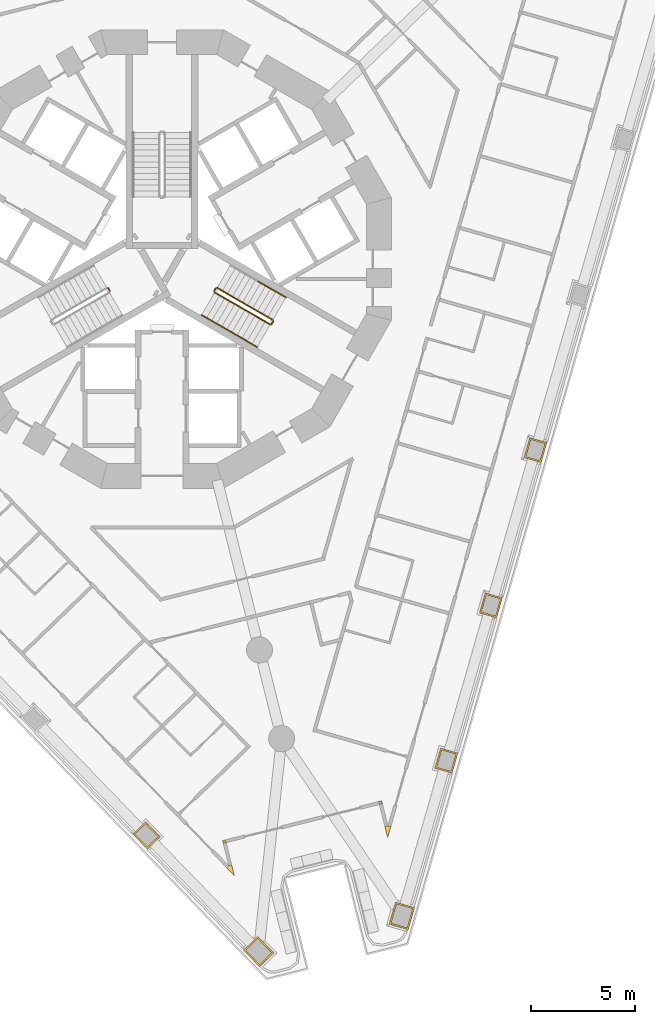
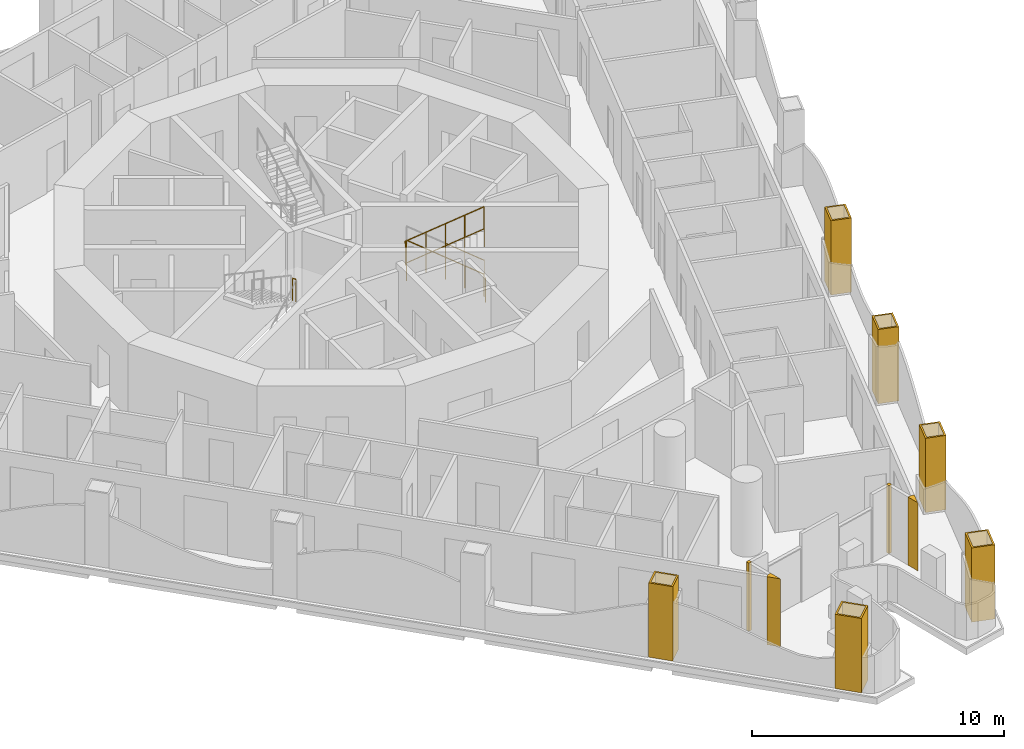
# One storey, part 14 of 19: 10 coverings, 8 railings.
"""IFC4 building model written with IfcOpenShell, lengths in metres."""

from ifc_helpers import new_model, si_unit, direction, frame, origin, origin_2d, place, context, subcontext, project, spatial, polyline, circle, outline, extrude, material, layer, layer_set, type_object, element, save


model = new_model("IFC4")

# Units and contexts
model_context = context("Model", 3, precision=1e-05, world=origin(), true_north=direction((0.0, 1.0)))
body_context = subcontext(model_context, "Body", "Model", "MODEL_VIEW")
ifc_project = project(units=[si_unit("LENGTHUNIT", "METRE"), si_unit("AREAUNIT", "SQUARE_METRE"), si_unit("VOLUMEUNIT", "CUBIC_METRE"), si_unit("PLANEANGLEUNIT", "RADIAN"), si_unit("MASSUNIT", "GRAM", prefix="KILO")], contexts=[model_context])

# Site, building, storey
site_placement = place(None, origin())
site = spatial("IfcSite", under=ifc_project, at=site_placement, CompositionType="ELEMENT")
building_placement = place(site_placement, origin())
building = spatial("IfcBuilding", under=site, at=building_placement, Name="Trine Commons Tower", CompositionType="ELEMENT")
storey_placement = place(building_placement, frame((0.0, 0.0, 98.10009765625)))
storey = spatial("IfcBuildingStorey", under=building, at=storey_placement, Name="L24", CompositionType="ELEMENT", Elevation=98.10009765625)

# Coverings
ifc_material_1 = material(Name="Aluminium-framed insulated wall panel", Category="aluminium")
ifc_layer_1 = layer(ifc_material_1, 0.14990234375)
ifc_layer_set_1 = layer_set([ifc_layer_1], Name="Aluminium-framed insulated wall panel")
covering_type_1 = type_object("IfcCoveringType", Name="Glazing corner post, aluminium", PredefinedType="CLADDING", material=ifc_layer_set_1)
covering_1_placement = place(storey_placement, origin())
element("IfcCovering", 1, at=covering_1_placement, inside=storey, type_object=covering_type_1, Name="Glazing corner post 3-09", PredefinedType="CLADDING", context=body_context, shape_type="SweptSolid", body=[
    extrude(outline(polyline([(90.701416015625, 35.24560546875), (90.836669921875, 34.70263671875), (90.990966796875, 35.24072265625), (90.8466796875, 35.281982421875), (90.701416015625, 35.24560546875)])), origin(), (0.0, 0.0, 1.0), 3.2998046875),
])
covering_2_placement = place(storey_placement, origin())
element("IfcCovering", 2, at=covering_2_placement, inside=storey, type_object=covering_type_1, Name="Glazing corner post 3-10", PredefinedType="CLADDING", context=body_context, shape_type="SweptSolid", body=[
    extrude(outline(polyline([(90.40234375, 36.44482421875), (90.438720703125, 36.29931640625), (90.584228515625, 36.33544921875), (90.5478515625, 36.481201171875), (90.40234375, 36.44482421875)])), origin(), (0.0, 0.0, 1.0), 3.2998046875),
])
covering_3_placement = place(storey_placement, origin())
element("IfcCovering", 3, at=covering_3_placement, inside=storey, type_object=covering_type_1, Name="Glazing corner post 3-11", PredefinedType="CLADDING", context=body_context, shape_type="SweptSolid", body=[
    extrude(outline(polyline([(82.938232421875, 34.42919921875), (83.083740234375, 34.465576171875), (83.047607421875, 34.611083984375), (82.90185546875, 34.57470703125), (82.938232421875, 34.42919921875)])), origin(), (0.0, 0.0, 1.0), 3.2998046875),
])
covering_4_placement = place(storey_placement, origin())
element("IfcCovering", 4, at=covering_4_placement, inside=storey, type_object=covering_type_1, Name="Glazing corner post 3-12", PredefinedType="CLADDING", context=body_context, shape_type="SweptSolid", body=[
    extrude(outline(polyline([(83.093017578125, 33.271484375), (83.48193359375, 32.868896484375), (83.346435546875, 33.412109375), (83.200927734375, 33.375732421875), (83.093017578125, 33.271484375)])), origin(), (0.0, 0.0, 1.0), 3.2998046875),
])
ifc_material_2 = material(Name="Limestone, honed", Category="masonry")
ifc_layer_2 = layer(ifc_material_2, 0.074951171875)
ifc_layer_set_2 = layer_set([ifc_layer_2], Name="Limestone, honed")
covering_type_2 = type_object("IfcCoveringType", Name="Limestone column cladding 75", PredefinedType="CLADDING", material=ifc_layer_set_2)
covering_5_placement = place(storey_placement, origin())
element("IfcCovering", 5, at=covering_5_placement, inside=storey, type_object=covering_type_2, Name="Limestone pier cladding 3-01", PredefinedType="CLADDING", context=body_context, shape_type="SweptSolid", body=[
    extrude(outline(polyline([(84.600341796875, 29.961669921875), (83.9169921875, 29.3017578125), (84.68115234375, 28.510498046875), (85.364501953125, 29.17041015625), (84.600341796875, 29.961669921875)]), holes=[polyline([(84.598388671875, 29.85546875), (84.02294921875, 29.2998046875), (84.682861328125, 28.616455078125), (85.25830078125, 29.172119140625), (84.598388671875, 29.85546875)])]), origin(), (0.0, 0.0, 1.0), 3.599853515625),
])
covering_6_placement = place(storey_placement, origin())
element("IfcCovering", 6, at=covering_6_placement, inside=storey, type_object=covering_type_2, Name="Limestone pier cladding 3-02", PredefinedType="CLADDING", context=body_context, shape_type="SweptSolid", body=[
    extrude(outline(polyline([(79.210205078125, 35.47119140625), (78.5986328125, 34.880859375), (79.293212890625, 34.16162109375), (79.90478515625, 34.751953125), (79.210205078125, 35.47119140625)]), holes=[polyline([(79.208251953125, 35.365234375), (78.70458984375, 34.87890625), (79.295166015625, 34.267578125), (79.798583984375, 34.75390625), (79.208251953125, 35.365234375)])]), origin(), (0.0, 0.0, 1.0), 3.599853515625),
])
covering_7_placement = place(storey_placement, origin())
element("IfcCovering", 7, at=covering_7_placement, inside=storey, type_object=covering_type_2, Name="Limestone pier cladding 3-21", PredefinedType="CLADDING", context=body_context, shape_type="SweptSolid", body=[
    extrude(outline(polyline([(98.48046875, 53.685791015625), (97.663330078125, 53.920166015625), (97.3876953125, 52.958984375), (98.20458984375, 52.724609375), (98.48046875, 53.685791015625)]), holes=[polyline([(98.3876953125, 53.634521484375), (97.714599609375, 53.827392578125), (97.48046875, 53.01025390625), (98.1533203125, 52.8173828125), (98.3876953125, 53.634521484375)])]), origin(), (0.0, 0.0, 1.0), 3.599853515625),
])
covering_8_placement = place(storey_placement, origin())
element("IfcCovering", 8, at=covering_8_placement, inside=storey, type_object=covering_type_2, Name="Limestone pier cladding 3-22", PredefinedType="CLADDING", context=body_context, shape_type="SweptSolid", body=[
    extrude(outline(polyline([(96.342041015625, 46.228759765625), (95.52490234375, 46.462890625), (95.249267578125, 45.501708984375), (96.06640625, 45.267333984375), (96.342041015625, 46.228759765625)]), holes=[polyline([(96.249267578125, 46.17724609375), (95.576416015625, 46.3701171875), (95.342041015625, 45.552978515625), (96.014892578125, 45.360107421875), (96.249267578125, 46.17724609375)])]), origin(), (0.0, 0.0, 1.0), 3.599853515625),
])
covering_9_placement = place(storey_placement, origin())
element("IfcCovering", 9, at=covering_9_placement, inside=storey, type_object=covering_type_2, Name="Limestone pier cladding 3-23", PredefinedType="CLADDING", context=body_context, shape_type="SweptSolid", body=[
    extrude(outline(polyline([(94.203857421875, 38.771484375), (93.38671875, 39.005859375), (93.111083984375, 38.044677734375), (93.927978515625, 37.810302734375), (94.203857421875, 38.771484375)]), holes=[polyline([(94.111083984375, 38.72021484375), (93.43798828125, 38.9130859375), (93.203857421875, 38.095947265625), (93.876708984375, 37.903076171875), (94.111083984375, 38.72021484375)])]), origin(), (0.0, 0.0, 1.0), 3.599853515625),
])
covering_10_placement = place(storey_placement, origin())
element("IfcCovering", 10, at=covering_10_placement, inside=storey, type_object=covering_type_2, Name="Limestone pier cladding 3-24", PredefinedType="CLADDING", context=body_context, shape_type="SweptSolid", body=[
    extrude(outline(polyline([(92.127197265625, 31.348876953125), (91.214111328125, 31.610595703125), (90.910888671875, 30.55322265625), (91.82421875, 30.29150390625), (92.127197265625, 31.348876953125)]), holes=[polyline([(92.034423828125, 31.29736328125), (91.265380859375, 31.517822265625), (91.003662109375, 30.604736328125), (91.772705078125, 30.384033203125), (92.034423828125, 31.29736328125)])]), origin(), (0.0, 0.0, 1.0), 3.599853515625),
])

# Railings
ifc_material_3 = material(Name="Stainless steel balustrade", Category="steel")
railing_type_1 = type_object("IfcRailingType", Name="Stair guard, steel balustrade 1100", PredefinedType="GUARDRAIL", material=ifc_material_3)
railing_1_placement = place(storey_placement, frame((77.490966796875, 60.96484375, 1.7998046875)))
element("IfcRailing", 11, at=railing_1_placement, inside=storey, type_object=railing_type_1, Name="L24 ST2A stair guard 2", PredefinedType="GUARDRAIL", context=body_context, shape_type="SweptSolid", body=[
    extrude(circle(Radius=0.02392578125, at=origin_2d()), frame((0.0, 0.0, 1.076171875), z_axis=(-0.501036270542, 0.865426285481, 0.0), x_axis=(-0.865426285481, -0.501036270542, 0.0)), (0.0, 0.0, 1.0), 0.150146484375),
    extrude(circle(Radius=0.02099609375, at=origin_2d()), origin(), (0.0, 0.0, 1.0), 1.052001953125),
    extrude(circle(Radius=0.02099609375, at=origin_2d()), frame((-0.0751953125, 0.1298828125, 0.0)), (0.0, 0.0, 1.0), 1.052001953125),
])
railing_2_placement = place(storey_placement, frame((85.31982421875, 59.572998046875, 0.14990234375)))
element("IfcRailing", 12, at=railing_2_placement, inside=storey, type_object=railing_type_1, Name="L24 ST3A stair guard 1", PredefinedType="GUARDRAIL", context=body_context, shape_type="SweptSolid", body=[
    extrude(circle(Radius=0.02392578125, at=origin_2d()), frame((0.0, 0.0, 1.076171875), z_axis=(-0.76340495495, 0.440743040072, 0.472184759798), x_axis=(-0.499992328818, -0.866029832698, 0.0)), (0.0, 0.0, 1.0), 3.494140625),
    extrude(circle(Radius=0.02099609375, at=origin_2d()), origin(), (0.0, 0.0, 1.0), 1.052001953125),
    extrude(circle(Radius=0.02099609375, at=origin_2d()), frame((-0.6669921875, 0.385009765625, 0.41259765625)), (0.0, 0.0, 1.0), 1.052001953125),
    extrude(circle(Radius=0.02099609375, at=origin_2d()), frame((-1.333740234375, 0.77001953125, 0.824951171875)), (0.0, 0.0, 1.0), 1.052001953125),
    extrude(circle(Radius=0.02099609375, at=origin_2d()), frame((-2.00048828125, 1.155029296875, 1.2373046875)), (0.0, 0.0, 1.0), 1.052001953125),
    extrude(circle(Radius=0.02099609375, at=origin_2d()), frame((-2.66748046875, 1.5400390625, 1.64990234375)), (0.0, 0.0, 1.0), 1.052001953125),
])
railing_3_placement = place(storey_placement, frame((82.584228515625, 61.0947265625, 1.7998046875)))
element("IfcRailing", 13, at=railing_3_placement, inside=storey, type_object=railing_type_1, Name="L24 ST3A stair guard 2", PredefinedType="GUARDRAIL", context=body_context, shape_type="SweptSolid", body=[
    extrude(circle(Radius=0.02392578125, at=origin_2d()), frame((0.0, 0.0, 1.076171875), z_axis=(-0.501036270542, -0.865426285481, 0.0), x_axis=(0.865426285481, -0.501036270542, 0.0)), (0.0, 0.0, 1.0), 0.150146484375),
    extrude(circle(Radius=0.02099609375, at=origin_2d()), origin(), (0.0, 0.0, 1.0), 1.052001953125),
    extrude(circle(Radius=0.02099609375, at=origin_2d()), frame((-0.0751953125, -0.1298828125, 0.0)), (0.0, 0.0, 1.0), 1.052001953125),
])
railing_4_placement = place(storey_placement, frame((82.52734375, 60.896484375, 1.949951171875)))
element("IfcRailing", 14, at=railing_4_placement, inside=storey, type_object=railing_type_1, Name="L24 ST3A stair guard 3", PredefinedType="GUARDRAIL", context=body_context, shape_type="SweptSolid", body=[
    extrude(circle(Radius=0.02392578125, at=origin_2d()), frame((0.0, 0.0, 1.076171875), z_axis=(0.76340495495, -0.440743040072, 0.472184759798), x_axis=(0.499992328818, 0.866029832698, 0.0)), (0.0, 0.0, 1.0), 3.494140625),
    extrude(circle(Radius=0.02099609375, at=origin_2d()), origin(), (0.0, 0.0, 1.0), 1.052001953125),
    extrude(circle(Radius=0.02099609375, at=origin_2d()), frame((0.6669921875, -0.385009765625, 0.41259765625)), (0.0, 0.0, 1.0), 1.052001953125),
    extrude(circle(Radius=0.02099609375, at=origin_2d()), frame((1.333740234375, -0.77001953125, 0.824951171875)), (0.0, 0.0, 1.0), 1.052001953125),
    extrude(circle(Radius=0.02099609375, at=origin_2d()), frame((2.00048828125, -1.155029296875, 1.2373046875)), (0.0, 0.0, 1.0), 1.052001953125),
    extrude(circle(Radius=0.02099609375, at=origin_2d()), frame((2.66748046875, -1.5400390625, 1.64990234375)), (0.0, 0.0, 1.0), 1.052001953125),
])
railing_5_placement = place(storey_placement, frame((85.338134765625, 59.504638671875, 0.0)))
element("IfcRailing", 15, at=railing_5_placement, inside=storey, type_object=railing_type_1, Name="L24 ST3A stair guard 4", PredefinedType="GUARDRAIL", context=body_context, shape_type="SweptSolid", body=[
    extrude(circle(Radius=0.02392578125, at=origin_2d()), frame((0.0, 0.0, 1.076171875), z_axis=(-0.499816412211, -0.866131372301, 0.0), x_axis=(0.866131372301, -0.499816412211, 0.0)), (0.0, 0.0, 1.0), 0.14990234375),
    extrude(circle(Radius=0.02099609375, at=origin_2d()), origin(), (0.0, 0.0, 1.0), 1.052001953125),
    extrude(circle(Radius=0.02099609375, at=origin_2d()), frame((-0.074951171875, -0.1298828125, 0.0)), (0.0, 0.0, 1.0), 1.052001953125),
])
ifc_material_4 = material(Name="Stainless steel handrail", Category="steel")
railing_type_2 = type_object("IfcRailingType", Name="Stair handrail, steel 900", PredefinedType="HANDRAIL", material=ifc_material_4)
railing_6_placement = place(storey_placement, frame((85.94482421875, 60.655517578125, 0.14990234375)))
element("IfcRailing", 16, at=railing_6_placement, inside=storey, type_object=railing_type_2, Name="L24 ST3A stair handrail 1", PredefinedType="HANDRAIL", context=body_context, shape_type="SweptSolid", body=[
    extrude(circle(Radius=0.02099609375, at=origin_2d()), frame((0.0, 0.0, 0.87890625), z_axis=(-0.76340495495, 0.440743040072, 0.472184759798), x_axis=(-0.499992328818, -0.866029832698, 0.0)), (0.0, 0.0, 1.0), 1.7470703125),
    extrude(circle(Radius=0.01513671875, at=origin_2d()), origin(), (0.0, 0.0, 1.0), 0.85791015625),
    extrude(circle(Radius=0.01513671875, at=origin_2d()), frame((-0.6669921875, 0.385009765625, 0.41259765625)), (0.0, 0.0, 1.0), 0.85791015625),
    extrude(circle(Radius=0.01513671875, at=origin_2d()), frame((-1.333740234375, 0.77001953125, 0.824951171875)), (0.0, 0.0, 1.0), 0.85791015625),
])
for number, where, name in (
    (17, (81.90234375, 59.81396484375, 1.949951171875), "L24 ST3A stair handrail 3"),
    (18, (83.236083984375, 59.0439453125, 2.77490234375), "L24 ST3A stair handrail 4"),
):
    element("IfcRailing", number, at=place(storey_placement, frame(where)), inside=storey, type_object=railing_type_2, Name=name, PredefinedType="HANDRAIL", context=body_context, shape_type="SweptSolid", body=[
        extrude(circle(Radius=0.02099609375, at=origin_2d()), frame((0.0, 0.0, 0.87890625), z_axis=(0.76340495495, -0.440743040072, 0.472184759798), x_axis=(0.499992328818, 0.866029832698, 0.0)), (0.0, 0.0, 1.0), 1.7470703125),
        extrude(circle(Radius=0.01513671875, at=origin_2d()), origin(), (0.0, 0.0, 1.0), 0.85791015625),
        extrude(circle(Radius=0.01513671875, at=origin_2d()), frame((0.6669921875, -0.385009765625, 0.41259765625)), (0.0, 0.0, 1.0), 0.85791015625),
        extrude(circle(Radius=0.01513671875, at=origin_2d()), frame((1.333740234375, -0.77001953125, 0.824951171875)), (0.0, 0.0, 1.0), 0.85791015625),
    ])

save(model, "model.ifc")
